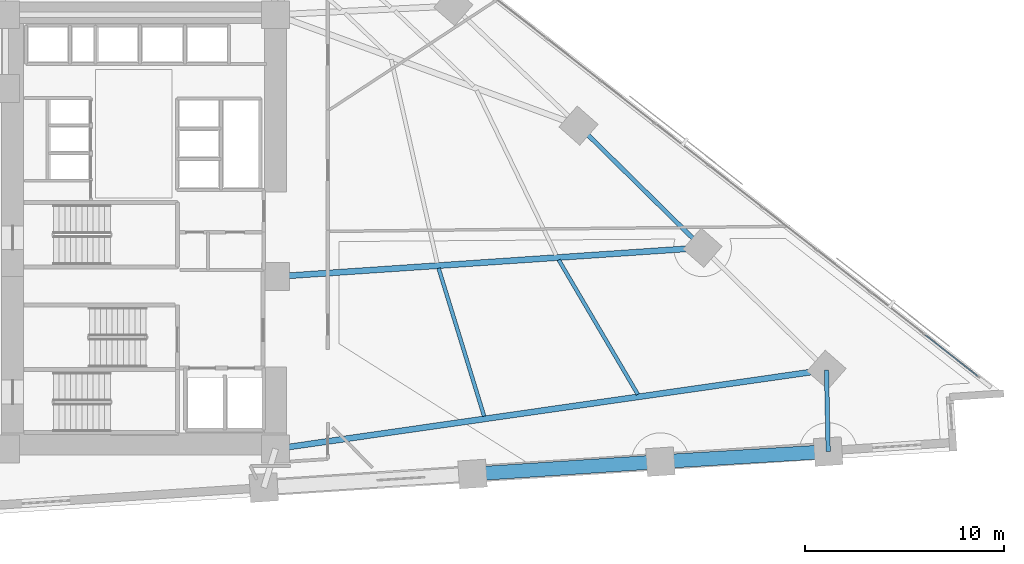
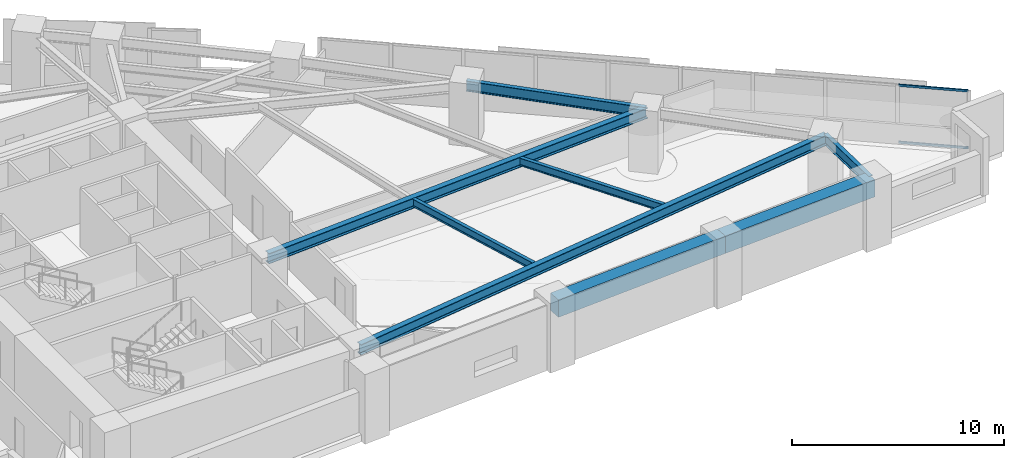
# One storey, part 3 of 17: 8 beams, 2 members, 1 element without a shape of its own.
"""IFC4 building model written with IfcOpenShell, lengths in metres."""

from ifc_helpers import new_model, si_unit, direction, frame, origin, origin_2d, place, context, subcontext, project, spatial, rectangle, hollow_rectangle, i_section, extrude, material, material_profile, profile_set, type_object, element, aggregate, save


model = new_model("IFC4")

# Units and contexts
model_context = context("Model", 3, precision=1e-05, world=origin(), true_north=direction((0.0, 1.0)))
body_context = subcontext(model_context, "Body", "Model", "MODEL_VIEW")
ifc_project = project(units=[si_unit("LENGTHUNIT", "METRE"), si_unit("AREAUNIT", "SQUARE_METRE"), si_unit("VOLUMEUNIT", "CUBIC_METRE"), si_unit("PLANEANGLEUNIT", "RADIAN"), si_unit("MASSUNIT", "GRAM", prefix="KILO")], contexts=[model_context])

# Site, building, storey
site_placement = place(None, origin())
site = spatial("IfcSite", under=ifc_project, at=site_placement, CompositionType="ELEMENT")
building_placement = place(site_placement, origin())
building = spatial("IfcBuilding", under=site, at=building_placement, Name="Narakoshi Arena Tower", CompositionType="ELEMENT")
storey_placement = place(building_placement, frame((0.0, 0.0, 63.300048828125)))
storey = spatial("IfcBuildingStorey", under=building, at=storey_placement, Name="L16", CompositionType="ELEMENT", Elevation=63.300048828125)

# Beams
ifc_material_1 = material(Name="Concrete C60/75", Category="concrete")
ifc_material_profile_1 = material_profile(ifc_material_1, rectangle(XDim=0.699951171875, YDim=1.0, at=origin_2d()), Name="RCB700x1000")
ifc_profile_set_1 = profile_set([ifc_material_profile_1], Name="Concrete C60/75")
beam_type_1 = type_object("IfcBeamType", Name="BM-CPL-1000", PredefinedType="BEAM", material=ifc_profile_set_1)
beam_1_placement = place(storey_placement, frame((95.44189453125, 33.43798828125, 2.83984375), z_axis=(0.997857667494, 0.065422285367, 0.0), x_axis=(-0.065422285367, 0.997857667494, 0.0)))
element("IfcBeam", 1, at=beam_1_placement, inside=storey, type_object=beam_type_1, Name="L16 Perimeter Edge Girder 02", PredefinedType="BEAM", context=body_context, shape_type="SweptSolid", body=[
    extrude(rectangle(XDim=0.699951171875, YDim=1.0, at=origin_2d()), origin(), (0.0, 0.0, 1.0), 9.456298828125),
])
beam_2_placement = place(storey_placement, frame((104.8779296875, 34.056640625, 2.83984375), z_axis=(0.998193929855, 0.060073941104, 0.0), x_axis=(-0.060073941104, 0.998193929855, 0.0)))
element("IfcBeam", 2, at=beam_2_placement, inside=storey, type_object=beam_type_1, Name="L16 Perimeter Edge Girder 03", PredefinedType="BEAM", context=body_context, shape_type="SweptSolid", body=[
    extrude(rectangle(XDim=0.699951171875, YDim=1.0, at=origin_2d()), origin(), (0.0, 0.0, 1.0), 8.436767578125),
])
ifc_material_2 = material(Name="Structural steel S355J2", Category="steel")
ifc_material_profile_2 = material_profile(ifc_material_2, i_section(OverallWidth=0.219970703125, OverallDepth=0.60009765625, WebThickness=0.011962890625, FlangeThickness=0.01904296875, FilletRadius=0.02392578125, at=origin_2d()), Name="IPE600")
ifc_profile_set_2 = profile_set([ifc_material_profile_2], Name="Structural steel S355J2")
beam_type_2 = type_object("IfcBeamType", Name="BM-EDGE-600", PredefinedType="BEAM", material=ifc_profile_set_2)
beam_3_placement = place(storey_placement, frame((113.299560546875, 34.5634765625, 3.0400390625), z_axis=(-0.020272933264, 0.99979448297, 0.0), x_axis=(-0.99979448297, -0.020272933264, 0.0)))
element("IfcBeam", 3, at=beam_3_placement, inside=storey, type_object=beam_type_2, Name="L16 Perimeter Edge Girder 04", PredefinedType="BEAM", context=body_context, shape_type="SweptSolid", body=[
    extrude(i_section(OverallWidth=0.219970703125, OverallDepth=0.60009765625, WebThickness=0.011962890625, FlangeThickness=0.01904296875, FilletRadius=0.02392578125, at=origin_2d()), origin(), (0.0, 0.0, 1.0), 4.1064453125),
])
beam_4_placement = place(storey_placement, frame((106.989990234375, 44.800537109375, 3.0400390625), z_axis=(-0.71256144736, 0.701609708981, 0.0), x_axis=(-0.701609708981, -0.71256144736, 0.0)))
element("IfcBeam", 4, at=beam_4_placement, inside=storey, type_object=beam_type_2, Name="L16 Perimeter Edge Girder 06", PredefinedType="BEAM", context=body_context, shape_type="SweptSolid", body=[
    extrude(i_section(OverallWidth=0.219970703125, OverallDepth=0.60009765625, WebThickness=0.011962890625, FlangeThickness=0.01904296875, FilletRadius=0.02392578125, at=origin_2d()), origin(), (0.0, 0.0, 1.0), 8.738525390625),
])
ifc_material_profile_3 = material_profile(ifc_material_2, i_section(OverallWidth=0.300048828125, OverallDepth=0.60009765625, WebThickness=0.015380859375, FlangeThickness=0.030029296875, FilletRadius=0.027099609375, at=origin_2d()), Name="HE600B")
ifc_profile_set_3 = profile_set([ifc_material_profile_3], Name="Structural steel S355J2")
beam_type_3 = type_object("IfcBeamType", Name="BM-PRI-600", PredefinedType="BEAM", material=ifc_profile_set_3)
beam_5_placement = place(storey_placement, frame((85.550048828125, 34.699951171875, 3.0400390625), z_axis=(0.989864586002, 0.142014440741, 0.0), x_axis=(-0.142014440741, 0.989864586002, 0.0)))
element("IfcBeam", 5, at=beam_5_placement, inside=storey, type_object=beam_type_3, Name="L16 Radial Primary Floor Girder 05", PredefinedType="BEAM", context=body_context, shape_type="SweptSolid", body=[
    extrude(i_section(OverallWidth=0.300048828125, OverallDepth=0.60009765625, WebThickness=0.015380859375, FlangeThickness=0.030029296875, FilletRadius=0.027099609375, at=origin_2d()), origin(), (0.0, 0.0, 1.0), 27.949462890625),
])
beam_6_placement = place(storey_placement, frame((85.550048828125, 43.35009765625, 3.0400390625), z_axis=(0.997719477205, 0.067496998498, 0.0), x_axis=(-0.067496998498, 0.997719477205, 0.0)))
element("IfcBeam", 6, at=beam_6_placement, inside=storey, type_object=beam_type_3, Name="L16 Radial Primary Floor Girder 06", PredefinedType="BEAM", context=body_context, shape_type="SweptSolid", body=[
    extrude(i_section(OverallWidth=0.300048828125, OverallDepth=0.60009765625, WebThickness=0.015380859375, FlangeThickness=0.030029296875, FilletRadius=0.027099609375, at=origin_2d()), origin(), (0.0, 0.0, 1.0), 21.489013671875),
])
ifc_material_profile_4 = material_profile(ifc_material_2, i_section(OverallWidth=0.18994140625, OverallDepth=0.449951171875, WebThickness=0.009521484375, FlangeThickness=0.0146484375, FilletRadius=0.02099609375, at=origin_2d()), Name="IPE450")
ifc_profile_set_4 = profile_set([ifc_material_profile_4], Name="Structural steel S355J2")
beam_type_4 = type_object("IfcBeamType", Name="BM-SEC-450", PredefinedType="JOIST", material=ifc_profile_set_4)
beam_7_placement = place(storey_placement, frame((96.0234375, 36.33740234375, 3.114990234375), z_axis=(-0.293966747192, 0.955815647259, 0.0), x_axis=(-0.955815647259, -0.293966747192, 0.0)))
element("IfcBeam", 7, at=beam_7_placement, inside=storey, type_object=beam_type_4, Name="L16 Composite Secondary Floor Joist 01", PredefinedType="JOIST", context=body_context, shape_type="SweptSolid", body=[
    extrude(i_section(OverallWidth=0.18994140625, OverallDepth=0.449951171875, WebThickness=0.009521484375, FlangeThickness=0.0146484375, FilletRadius=0.02099609375, at=origin_2d()), origin(), (0.0, 0.0, 1.0), 7.778564453125),
])
beam_8_placement = place(storey_placement, frame((103.741455078125, 37.43603515625, 3.114990234375), z_axis=(-0.50694388047, 0.861979061262, 0.0), x_axis=(-0.861979061262, -0.50694388047, 0.0)))
element("IfcBeam", 8, at=beam_8_placement, inside=storey, type_object=beam_type_4, Name="L16 Composite Secondary Floor Joist 02", PredefinedType="JOIST", context=body_context, shape_type="SweptSolid", body=[
    extrude(i_section(OverallWidth=0.18994140625, OverallDepth=0.449951171875, WebThickness=0.009521484375, FlangeThickness=0.0146484375, FilletRadius=0.02099609375, at=origin_2d()), origin(), (0.0, 0.0, 1.0), 7.83642578125),
])

# Curtain wall, members
ifc_material_3 = material(Name="Anodised bronze aluminium 6063-T6", Category="aluminium")
curtain_wall_type = type_object("IfcCurtainWallType", Name="CW-HYP-LOW", PredefinedType="NOTDEFINED", material=ifc_material_3)
curtain_wall_placement = place(storey_placement, origin())
curtain_wall = element("IfcCurtainWall", 9, at=curtain_wall_placement, inside=storey, type_object=curtain_wall_type, Name="L16 Folded Hypotenuse Curtain Wall 1-1", PredefinedType="NOTDEFINED")
ifc_material_profile_5 = material_profile(ifc_material_3, hollow_rectangle(XDim=0.06494140625, YDim=0.1298828125, WallThickness=0.00390625, OuterFilletRadius=0.0048828125, at=origin_2d()), Name="TRN130x65x4")
ifc_profile_set_5 = profile_set([ifc_material_profile_5], Name="Anodised bronze aluminium 6063-T6")
member_type = type_object("IfcMemberType", Name="MEM-TRN-130", PredefinedType="USERDEFINED", material=ifc_profile_set_5)
member_1_placement = place(storey_placement, frame((120.802978515625, 38.359130859375, 0.032470703125), z_axis=(-0.787347227026, 0.616509808596, 0.0), x_axis=(-0.616509808596, -0.787347227026, 0.0)))
member_1 = element("IfcMember", 10, at=member_1_placement, type_object=member_type, Name="CW-01 transom 1.1", ObjectType="TRANSOM", PredefinedType="USERDEFINED", context=body_context, shape_type="SweptSolid", body=[
    extrude(hollow_rectangle(XDim=0.06494140625, YDim=0.1298828125, WallThickness=0.00390625, OuterFilletRadius=0.0048828125, at=origin_2d()), origin(), (0.0, 0.0, 1.0), 3.331298828125),
])
member_2_placement = place(storey_placement, frame((120.802978515625, 38.359130859375, 3.307373046875), z_axis=(-0.787347227026, 0.616509808596, 0.0), x_axis=(-0.616509808596, -0.787347227026, 0.0)))
member_2 = element("IfcMember", 11, at=member_2_placement, type_object=member_type, Name="CW-01 transom 1.2", ObjectType="TRANSOM", PredefinedType="USERDEFINED", context=body_context, shape_type="SweptSolid", body=[
    extrude(hollow_rectangle(XDim=0.06494140625, YDim=0.1298828125, WallThickness=0.00390625, OuterFilletRadius=0.0048828125, at=origin_2d()), origin(), (0.0, 0.0, 1.0), 3.331298828125),
])
aggregate(curtain_wall, [member_1, member_2])

save(model, "model.ifc")
